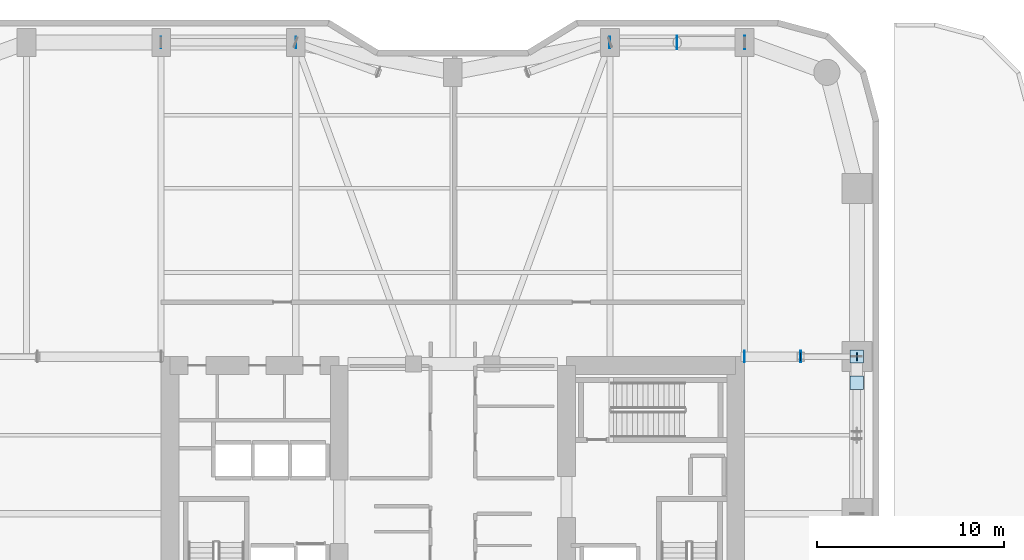
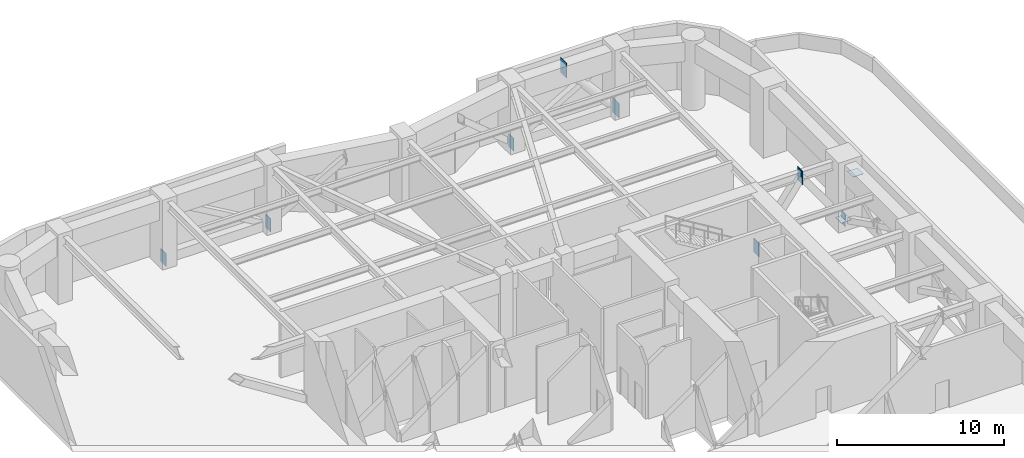
# One storey, part 7 of 16: 11 plates.
"""IFC4 building model written with IfcOpenShell, lengths in metres."""

from ifc_helpers import new_model, si_unit, direction, frame, origin, origin_2d, place, context, subcontext, project, spatial, rectangle, extrude, material, layer, layer_set, type_object, element, save


model = new_model("IFC4")

# Units and contexts
model_context = context("Model", 3, precision=1e-05, world=origin(), true_north=direction((0.0, 1.0)))
body_context = subcontext(model_context, "Body", "Model", "MODEL_VIEW")
ifc_project = project(units=[si_unit("LENGTHUNIT", "METRE"), si_unit("AREAUNIT", "SQUARE_METRE"), si_unit("VOLUMEUNIT", "CUBIC_METRE"), si_unit("PLANEANGLEUNIT", "RADIAN"), si_unit("MASSUNIT", "GRAM", prefix="KILO")], contexts=[model_context])

# Site, building, storey
site_placement = place(None, origin())
site = spatial("IfcSite", under=ifc_project, at=site_placement, CompositionType="ELEMENT")
building_placement = place(site_placement, origin())
building = spatial("IfcBuilding", under=site, at=building_placement, Name="Kiyonajd Concourse Tower", CompositionType="ELEMENT")
storey_placement = place(building_placement, frame((0.0, 0.0, 80.699951171875)))
storey = spatial("IfcBuildingStorey", under=building, at=storey_placement, Name="L21", CompositionType="ELEMENT", Elevation=80.699951171875)

# Plates
ifc_material = material(Name="Steel ASTM A572 Grade 50", Category="steel")
ifc_layer_1 = layer(ifc_material, 0.028076171875)
ifc_layer_set_1 = layer_set([ifc_layer_1], Name="Steel ASTM A572 Grade 50")
plate_type_1 = type_object("IfcPlateType", Name="PL-CAP-450", PredefinedType="USERDEFINED", material=ifc_layer_set_1)
for number, where, z_axis, x_axis, name in (
    (1, (63.607177734375, 61.199951171875, -0.24609375), (0.0, 0.0, 1.0), (1.0, 0.0, 0.0), "L21 Hollow Brace End Cap Plate PBN"),
    (2, (59.992919921875, 61.199951171875, 3.96044921875), (0.0, 0.0, 1.0), (-1.0, 0.0, 0.0), "L21 Hollow Brace Top Cap Plate PBN"),
):
    element("IfcPlate", number, at=place(storey_placement, frame(where, z_axis=z_axis, x_axis=x_axis)), inside=storey, type_object=plate_type_1, Name=name, ObjectType="CAP PLATE", PredefinedType="USERDEFINED", context=body_context, shape_type="SweptSolid", body=[
        extrude(rectangle(XDim=0.035888671875, YDim=0.72998046875, at=origin_2d()), origin(), (0.0, 0.0, 1.0), 1.075927734375),
    ])
for number, where, z_axis, x_axis, name in (
    (3, (69.60009765625, 44.403564453125, 0.275390625), (0.0, 0.0, 1.0), (1.0, 0.0, 0.0), "L21 Hollow Brace End Cap Plate PBE"),
    (4, (69.60009765625, 42.99658203125, 4.486328125), (0.0, 0.0, 1.0), (1.0, 0.0, 0.0), "L21 Hollow Brace Top Cap Plate PBE"),
):
    element("IfcPlate", number, at=place(storey_placement, frame(where, z_axis=z_axis, x_axis=x_axis)), inside=storey, type_object=plate_type_1, Name=name, ObjectType="CAP PLATE", PredefinedType="USERDEFINED", context=body_context, shape_type="SweptSolid", body=[
        extrude(rectangle(XDim=0.7099609375, YDim=0.7099609375, at=origin_2d()), origin(), (0.0, 0.0, 1.0), 0.028076171875),
    ])
ifc_layer_2 = layer(ifc_material, 0.031982421875)
ifc_layer_set_2 = layer_set([ifc_layer_2], Name="Steel ASTM A572 Grade 50")
plate_type_2 = type_object("IfcPlateType", Name="PL-CAP-540", PredefinedType="USERDEFINED", material=ifc_layer_set_2)
for number, where, z_axis, x_axis, name in (
    (5, (63.593505859375, 44.39990234375, -0.208251953125), (0.0, 0.0, 1.0), (-1.0, 0.0, 0.0), "L21 Outrigger End Cap Plate 07"),
    (6, (66.6064453125, 44.39990234375, 3.99951171875), (0.0, 0.0, 1.0), (1.0, 0.0, 0.0), "L21 Outrigger Far End Cap Plate 07"),
):
    element("IfcPlate", number, at=place(storey_placement, frame(where, z_axis=z_axis, x_axis=x_axis)), inside=storey, type_object=plate_type_2, Name=name, ObjectType="CAP PLATE", PredefinedType="USERDEFINED", context=body_context, shape_type="SweptSolid", body=[
        extrude(rectangle(XDim=0.035888671875, YDim=0.6201171875, at=origin_2d()), origin(), (0.0, 0.0, 1.0), 0.9990234375),
    ])
for number, where, z_axis, x_axis, name in (
    (7, (66.593505859375, 44.39990234375, 4.04248046875), (0.0, 0.0, 1.0), (-1.0, 0.0, 0.0), "L21 Outrigger End Cap Plate 08"),
    (8, (69.6064453125, 44.39990234375, -0.165283203125), (0.0, 0.0, 1.0), (1.0, 0.0, 0.0), "L21 Outrigger Far End Cap Plate 08"),
):
    element("IfcPlate", number, at=place(storey_placement, frame(where, z_axis=z_axis, x_axis=x_axis)), inside=storey, type_object=plate_type_2, Name=name, ObjectType="CAP PLATE", PredefinedType="USERDEFINED", context=body_context, shape_type="SweptSolid", body=[
        extrude(rectangle(XDim=0.035888671875, YDim=0.419921875, at=origin_2d()), origin(), (0.0, 0.0, 1.0), 0.9130859375),
    ])
for number, where, z_axis, x_axis, name in (
    (9, (32.388916015625, 61.199951171875, -0.169921875), (0.0, 0.0, 1.0), (-1.0, 0.0, 0.0), "L21 Belt Chord Cap Plate"),
    (10, (39.611083984375, 61.199951171875, -0.169921875), (0.0, 0.0, 1.0), (1.0, 0.0, 0.0), "L21 Belt Chord Cap Plate"),
    (11, (56.388916015625, 61.199951171875, -0.169921875), (0.0, 0.0, 1.0), (-1.0, 0.0, 0.0), "L21 Belt Chord Cap Plate"),
):
    element("IfcPlate", number, at=place(storey_placement, frame(where, z_axis=z_axis, x_axis=x_axis)), inside=storey, type_object=plate_type_2, Name=name, ObjectType="CAP PLATE", PredefinedType="USERDEFINED", context=body_context, shape_type="SweptSolid", body=[
        extrude(rectangle(XDim=0.035888671875, YDim=0.6201171875, at=origin_2d()), origin(), (0.0, 0.0, 1.0), 0.93994140625),
    ])

save(model, "model.ifc")
